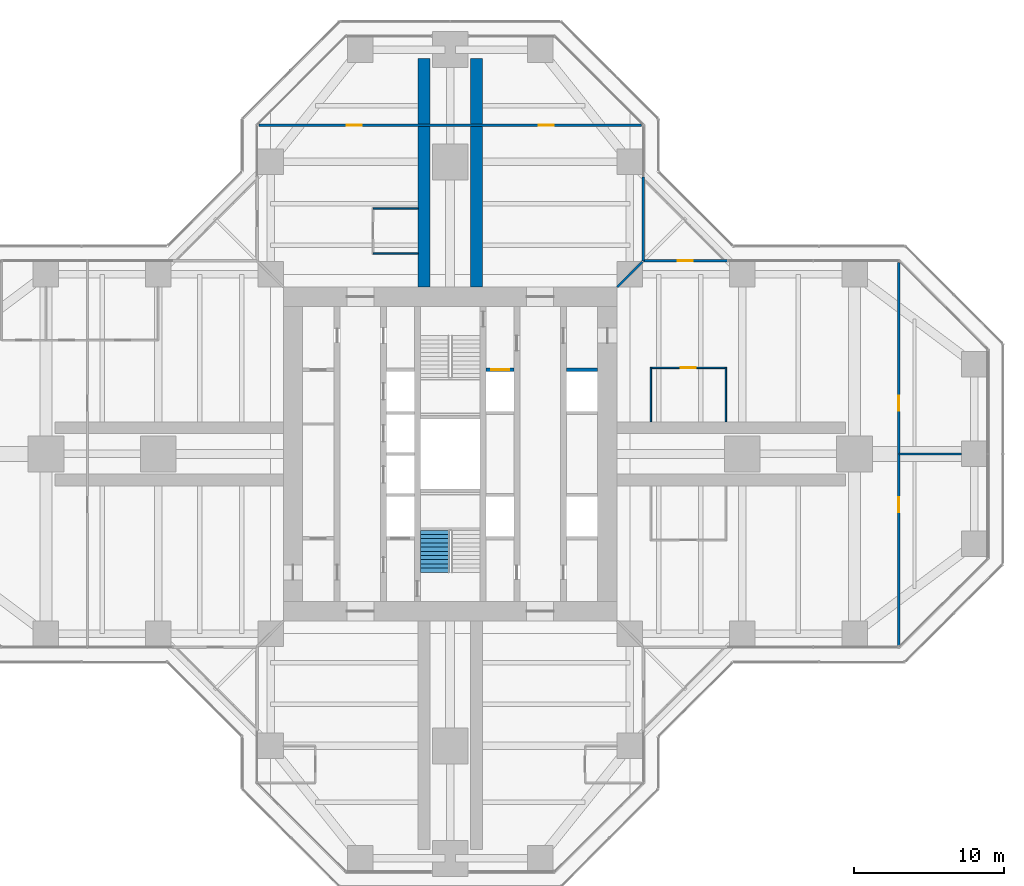
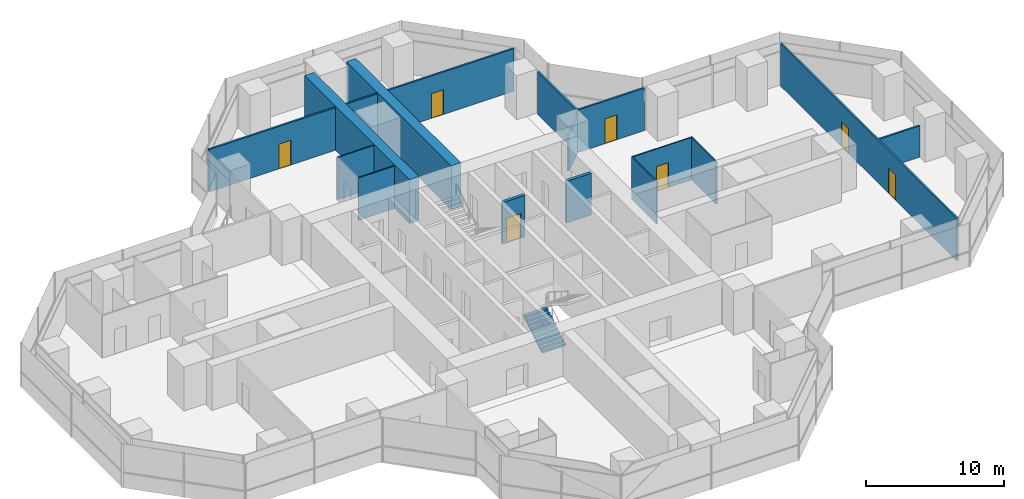
# One storey, part 17 of 19: 15 walls, 7 doors, 1 stair flight, 7 openings, 1 element without a shape of its own.
"""IFC4 building model written with IfcOpenShell, lengths in metres."""

from ifc_helpers import new_model, si_unit, direction, frame, frame_2d, origin, place, context, subcontext, project, spatial, polyline, rectangle, outline, extrude, material, layer, layer_set, type_object, element, fill, aggregate, save


model = new_model("IFC4")

# Units and contexts
model_context = context("Model", 3, precision=1e-05, world=origin(), true_north=direction((0.0, 1.0)))
body_context = subcontext(model_context, "Body", "Model", "MODEL_VIEW")
ifc_project = project(units=[si_unit("LENGTHUNIT", "METRE"), si_unit("AREAUNIT", "SQUARE_METRE"), si_unit("VOLUMEUNIT", "CUBIC_METRE"), si_unit("PLANEANGLEUNIT", "RADIAN"), si_unit("MASSUNIT", "GRAM", prefix="KILO")], contexts=[model_context])

# Site, building, storey
site_placement = place(None, origin())
site = spatial("IfcSite", under=ifc_project, at=site_placement, CompositionType="ELEMENT")
building_placement = place(site_placement, origin())
building = spatial("IfcBuilding", under=site, at=building_placement, Name="Mizan Broadcast Tower", CompositionType="ELEMENT")
storey_placement = place(building_placement, frame((0.0, 0.0, 159.300048828125)))
storey = spatial("IfcBuildingStorey", under=building, at=storey_placement, Name="L36", CompositionType="ELEMENT", Elevation=159.300048828125)

# Wall, opening, door
ifc_material_1 = material(Name="Aluminium framed glazed screen", Category="aluminium")
ifc_layer_1 = layer(ifc_material_1, 0.159912109375)
ifc_layer_set_1 = layer_set([ifc_layer_1], Name="Aluminium framed glazed screen")
wall_type_1 = type_object("IfcWallType", Name="GLAZED SCREEN WALL 160", PredefinedType="SOLIDWALL", material=ifc_layer_set_1)
wall_1_placement = place(storey_placement, frame((18.5, 12.89990234375, 0.0), z_axis=(0.0, 0.0, 1.0), x_axis=(-1.0, 0.0, 0.0)))
wall_1 = element("IfcWall", 1, at=wall_1_placement, inside=storey, type_object=wall_type_1, Name="Winter garden screen L36 E", PredefinedType="SOLIDWALL", context=body_context, shape_type="SweptSolid", body=[
    extrude(rectangle(XDim=5.60009765625, YDim=0.159912109375, at=frame_2d((2.800048828125, 0.0))), origin(), (0.0, 0.0, 1.0), 3.77001953125),
])
opening_1_placement = place(wall_1_placement, frame((2.300048828125, 0.0, 0.0)))
opening_1 = element("IfcOpeningElement", 2, at=opening_1_placement, cuts=wall_1, Name="Opening WGD", PredefinedType="OPENING", context=body_context, shape_type="SweptSolid", body=[
    extrude(rectangle(XDim=1.0, YDim=2.199951171875, at=frame_2d((0.5, 1.10009765625))), frame((0.0, 0.08984375, 0.0), z_axis=(0.0, -1.0, 0.0), x_axis=(1.0, 0.0, 0.0)), (0.0, 0.0, 1.0), 0.179931640625),
])
ifc_material_2 = material(Name="Aluminium framed glazed door", Category="aluminium")
door_type_1 = type_object("IfcDoorType", Name="WINTER GARDEN DOOR 1000 GLAZED", OperationType="SINGLE_SWING_LEFT", PredefinedType="DOOR", material=ifc_material_2)
door_1_placement = place(opening_1_placement, origin())
door_1 = element("IfcDoor", 3, at=door_1_placement, inside=storey, type_object=door_type_1, Name="Winter garden door L36 E", OperationType="SINGLE_SWING_RIGHT", OverallHeight=2.199951171875, OverallWidth=1.0, PredefinedType="DOOR", context=body_context, shape_type="SweptSolid", body=[
    extrude(rectangle(XDim=1.0, YDim=2.199951171875, at=frame_2d((0.5, 1.10009765625))), frame((0.0, 0.02490234375, 0.0), z_axis=(0.0, -1.0, 0.0), x_axis=(1.0, 0.0, 0.0)), (0.0, 0.0, 1.0), 0.050048828125),
])
fill(opening_1, door_1)

# Wall
wall_2_placement = place(storey_placement, frame((12.89990234375, 12.89990234375, 0.0), z_axis=(0.0, 0.0, 1.0), x_axis=(0.0, 1.0, 0.0)))
element("IfcWall", 4, at=wall_2_placement, inside=storey, type_object=wall_type_1, Name="Winter garden screen L36 N", PredefinedType="SOLIDWALL", context=body_context, shape_type="SweptSolid", body=[
    extrude(rectangle(XDim=5.60009765625, YDim=0.159912109375, at=frame_2d((2.800048828125, 0.0))), origin(), (0.0, 0.0, 1.0), 3.77001953125),
])

# Wall, opening, door
ifc_material_3 = material(Name="Concrete blockwork", Category="masonry")
ifc_layer_2 = layer(ifc_material_3, 0.25)
ifc_layer_set_2 = layer_set([ifc_layer_2], Name="Concrete blockwork")
wall_type_2 = type_object("IfcWallType", Name="LOBBY ENCLOSURE WALL 250", PredefinedType="SOLIDWALL", material=ifc_layer_set_2)
wall_3_placement = place(storey_placement, frame((2.39990234375, 5.625, 0.0), z_axis=(0.0, 0.0, 1.0), x_axis=(1.0, 0.0, 0.0)))
wall_3 = element("IfcWall", 5, at=wall_3_placement, inside=storey, type_object=wall_type_2, Name="Lobby enclosure wall CORE/BE2N", PredefinedType="SOLIDWALL", context=body_context, shape_type="SweptSolid", body=[
    extrude(rectangle(XDim=1.85009765625, YDim=0.25, at=frame_2d((0.925048828125, 0.0))), origin(), (0.0, 0.0, 1.0), 3.699951171875),
])
opening_2_placement = place(wall_3_placement, frame((0.324951171875, 0.0, 0.0)))
opening_2 = element("IfcOpeningElement", 6, at=opening_2_placement, cuts=wall_3, Name="Opening LDF", PredefinedType="OPENING", context=body_context, shape_type="SweptSolid", body=[
    extrude(rectangle(XDim=1.199951171875, YDim=2.199951171875, at=frame_2d((0.60009765625, 1.10009765625))), frame((0.0, 0.135009765625, 0.0), z_axis=(0.0, -1.0, 0.0), x_axis=(1.0, 0.0, 0.0)), (0.0, 0.0, 1.0), 0.27001953125),
])
ifc_material_4 = material(Name="Steel door leaf in steel frame", Category="steel")
door_type_2 = type_object("IfcDoorType", Name="FIREFIGHTING LIFT LANDING DOOR 1200", OperationType="SLIDING_TO_LEFT", PredefinedType="DOOR", material=ifc_material_4)
door_2_placement = place(opening_2_placement, origin())
door_2 = element("IfcDoor", 7, at=door_2_placement, inside=storey, type_object=door_type_2, Name="Landing door FF2", OperationType="SLIDING_TO_LEFT", OverallHeight=2.199951171875, OverallWidth=1.199951171875, PredefinedType="DOOR", context=body_context, shape_type="SweptSolid", body=[
    extrude(rectangle(XDim=1.199951171875, YDim=2.199951171875, at=frame_2d((0.60009765625, 1.10009765625))), frame((0.0, 0.02490234375, 0.0), z_axis=(0.0, -1.0, 0.0), x_axis=(1.0, 0.0, 0.0)), (0.0, 0.0, 1.0), 0.050048828125),
])
fill(opening_2, door_2)

# Wall
wall_4_placement = place(storey_placement, frame((7.75, 5.625, 0.0), z_axis=(0.0, 0.0, 1.0), x_axis=(1.0, 0.0, 0.0)))
element("IfcWall", 8, at=wall_4_placement, inside=storey, type_object=wall_type_2, Name="Lobby enclosure wall CORE/BE1N", PredefinedType="SOLIDWALL", context=body_context, shape_type="SweptSolid", body=[
    extrude(rectangle(XDim=2.10009765625, YDim=0.25, at=frame_2d((1.050048828125, 0.0))), origin(), (0.0, 0.0, 1.0), 3.699951171875),
])

# Wall, openings, doors
ifc_material_5 = material(Name="Gypsum board on steel studs", Category="steel")
ifc_layer_3 = layer(ifc_material_5, 0.14990234375)
ifc_layer_set_3 = layer_set([ifc_layer_3], Name="Gypsum board on steel studs")
wall_type_3 = type_object("IfcWallType", Name="PARTITION 150", PredefinedType="PARTITIONING", material=ifc_layer_set_3)
wall_5_placement = place(storey_placement, frame((29.958984375, -12.786376953125, 0.0), z_axis=(0.0, 0.0, 1.0), x_axis=(0.0, 1.0, 0.0)))
wall_5 = element("IfcWall", 9, at=wall_5_placement, inside=storey, type_object=wall_type_3, Name="Partition PT/EX1", PredefinedType="PARTITIONING", context=body_context, shape_type="SweptSolid", body=[
    extrude(rectangle(XDim=25.57275390625, YDim=0.14990234375, at=frame_2d((12.786376953125, 0.0))), origin(), (0.0, 0.0, 1.0), 3.77001953125),
])
opening_3_placement = place(wall_5_placement, frame((15.6865234375, 0.0, 0.0)))
opening_3 = element("IfcOpeningElement", 10, at=opening_3_placement, cuts=wall_5, Name="Opening D10", PredefinedType="OPENING", context=body_context, shape_type="SweptSolid", body=[
    extrude(rectangle(XDim=1.0, YDim=2.199951171875, at=frame_2d((0.5, 1.10009765625))), frame((0.0, 0.0849609375, 0.0), z_axis=(0.0, -1.0, 0.0), x_axis=(1.0, 0.0, 0.0)), (0.0, 0.0, 1.0), 0.169921875),
])
opening_4_placement = place(wall_5_placement, frame((8.886474609375, 0.0, 0.0)))
opening_4 = element("IfcOpeningElement", 11, at=opening_4_placement, cuts=wall_5, Name="Opening D10", PredefinedType="OPENING", context=body_context, shape_type="SweptSolid", body=[
    extrude(rectangle(XDim=1.0, YDim=2.199951171875, at=frame_2d((0.5, 1.10009765625))), frame((0.0, 0.0849609375, 0.0), z_axis=(0.0, -1.0, 0.0), x_axis=(1.0, 0.0, 0.0)), (0.0, 0.0, 1.0), 0.169921875),
])
ifc_material_6 = material(Name="Timber door leaf in aluminium frame", Category="wood")
door_type_3 = type_object("IfcDoorType", Name="ROOM DOOR 1000", OperationType="SINGLE_SWING_LEFT", PredefinedType="DOOR", material=ifc_material_6)
door_3_placement = place(opening_3_placement, origin())
door_3 = element("IfcDoor", 12, at=door_3_placement, inside=storey, type_object=door_type_3, Name="Archive reading room door", OperationType="SINGLE_SWING_RIGHT", OverallHeight=2.199951171875, OverallWidth=1.0, PredefinedType="DOOR", context=body_context, shape_type="SweptSolid", body=[
    extrude(rectangle(XDim=1.0, YDim=2.199951171875, at=frame_2d((0.5, 1.10009765625))), frame((0.0, 0.02490234375, 0.0), z_axis=(0.0, -1.0, 0.0), x_axis=(1.0, 0.0, 0.0)), (0.0, 0.0, 1.0), 0.050048828125),
])
fill(opening_3, door_3)
door_4_placement = place(opening_4_placement, origin())
door_4 = element("IfcDoor", 13, at=door_4_placement, inside=storey, type_object=door_type_3, Name="Archive reading room door", OperationType="SINGLE_SWING_LEFT", OverallHeight=2.199951171875, OverallWidth=1.0, PredefinedType="DOOR", context=body_context, shape_type="SweptSolid", body=[
    extrude(rectangle(XDim=1.0, YDim=2.199951171875, at=frame_2d((0.5, 1.10009765625))), frame((0.0, 0.02490234375, 0.0), z_axis=(0.0, -1.0, 0.0), x_axis=(1.0, 0.0, 0.0)), (0.0, 0.0, 1.0), 0.050048828125),
])
fill(opening_4, door_4)

# Wall
wall_6_placement = place(storey_placement, frame((29.958984375, 0.0, 0.0), z_axis=(0.0, 0.0, 1.0), x_axis=(1.0, 0.0, 0.0)))
element("IfcWall", 14, at=wall_6_placement, inside=storey, type_object=wall_type_3, Name="Partition PT/EES", PredefinedType="PARTITIONING", context=body_context, shape_type="SweptSolid", body=[
    extrude(rectangle(XDim=4.19091796875, YDim=0.14990234375, at=frame_2d((2.095458984375, 0.0))), origin(), (0.0, 0.0, 1.0), 2.77001953125),
])

# Wall, openings, doors
wall_7_placement = place(storey_placement, frame((12.786376953125, 21.958984375, 0.0), z_axis=(0.0, 0.0, 1.0), x_axis=(-1.0, 0.0, 0.0)))
wall_7 = element("IfcWall", 15, at=wall_7_placement, inside=storey, type_object=wall_type_3, Name="Partition PT/NX1", PredefinedType="PARTITIONING", context=body_context, shape_type="SweptSolid", body=[
    extrude(rectangle(XDim=25.57275390625, YDim=0.14990234375, at=frame_2d((12.786376953125, 0.0))), origin(), (0.0, 0.0, 1.0), 3.77001953125),
])
opening_5_placement = place(wall_7_placement, frame((18.6865234375, 0.0, 0.0)))
opening_5 = element("IfcOpeningElement", 16, at=opening_5_placement, cuts=wall_7, Name="Opening D10", PredefinedType="OPENING", context=body_context, shape_type="SweptSolid", body=[
    extrude(rectangle(XDim=1.0, YDim=2.199951171875, at=frame_2d((0.5, 1.10009765625))), frame((0.0, 0.0849609375, 0.0), z_axis=(0.0, -1.0, 0.0), x_axis=(1.0, 0.0, 0.0)), (0.0, 0.0, 1.0), 0.169921875),
])
opening_6_placement = place(wall_7_placement, frame((5.886474609375, 0.0, 0.0)))
opening_6 = element("IfcOpeningElement", 17, at=opening_6_placement, cuts=wall_7, Name="Opening D10", PredefinedType="OPENING", context=body_context, shape_type="SweptSolid", body=[
    extrude(rectangle(XDim=1.0, YDim=2.199951171875, at=frame_2d((0.5, 1.10009765625))), frame((0.0, 0.0849609375, 0.0), z_axis=(0.0, -1.0, 0.0), x_axis=(1.0, 0.0, 0.0)), (0.0, 0.0, 1.0), 0.169921875),
])
door_5_placement = place(opening_5_placement, origin())
door_5 = element("IfcDoor", 18, at=door_5_placement, inside=storey, type_object=door_type_3, Name="Meeting room door", OperationType="SINGLE_SWING_RIGHT", OverallHeight=2.199951171875, OverallWidth=1.0, PredefinedType="DOOR", context=body_context, shape_type="SweptSolid", body=[
    extrude(rectangle(XDim=1.0, YDim=2.199951171875, at=frame_2d((0.5, 1.10009765625))), frame((0.0, 0.02490234375, 0.0), z_axis=(0.0, -1.0, 0.0), x_axis=(1.0, 0.0, 0.0)), (0.0, 0.0, 1.0), 0.050048828125),
])
fill(opening_5, door_5)
door_6_placement = place(opening_6_placement, origin())
door_6 = element("IfcDoor", 19, at=door_6_placement, inside=storey, type_object=door_type_3, Name="Meeting room door", OperationType="SINGLE_SWING_LEFT", OverallHeight=2.199951171875, OverallWidth=1.0, PredefinedType="DOOR", context=body_context, shape_type="SweptSolid", body=[
    extrude(rectangle(XDim=1.0, YDim=2.199951171875, at=frame_2d((0.5, 1.10009765625))), frame((0.0, 0.02490234375, 0.0), z_axis=(0.0, -1.0, 0.0), x_axis=(1.0, 0.0, 0.0)), (0.0, 0.0, 1.0), 0.050048828125),
])
fill(opening_6, door_6)

# Walls
wall_8_placement = place(storey_placement, frame((11.14990234375, 11.14990234375, 0.0), z_axis=(0.0, 0.0, 1.0), x_axis=(0.707106781187, 0.707106781187, 0.0)))
element("IfcWall", 20, at=wall_8_placement, inside=storey, type_object=wall_type_3, Name="Partition PT/DGEN", PredefinedType="PARTITIONING", context=body_context, shape_type="SweptSolid", body=[
    extrude(rectangle(XDim=2.362060546875, YDim=0.14990234375, at=frame_2d((1.18115234375, 0.0))), origin(), (0.0, 0.0, 1.0), 3.219970703125),
])
ifc_material_7 = material(Name="Glazed aluminium partition on aluminium track", Category="aluminium")
ifc_layer_4 = layer(ifc_material_7, 0.10009765625)
ifc_layer_set_4 = layer_set([ifc_layer_4], Name="Glazed aluminium partition on aluminium track")
wall_type_4 = type_object("IfcWallType", Name="PARTITION GLAZED OFFICE FRONT 100", PredefinedType="PARTITIONING", material=ifc_layer_set_4)
for number, where, z_axis, x_axis, name in (
    (21, (13.39990234375, 2.14990234375, 0.0), (0.0, 0.0, 1.0), (0.0, 1.0, 0.0), "Glazed office front PT/EKP0a"),
    (22, (18.39990234375, 2.14990234375, 0.0), (0.0, 0.0, 1.0), (0.0, 1.0, 0.0), "Glazed office front PT/EKP0b"),
):
    element("IfcWall", number, at=place(storey_placement, frame(where, z_axis=z_axis, x_axis=x_axis)), inside=storey, type_object=wall_type_4, Name=name, PredefinedType="PARTITIONING", context=body_context, shape_type="SweptSolid", body=[
        extrude(rectangle(XDim=3.60009765625, YDim=0.10009765625, at=frame_2d((1.800048828125, 0.0))), origin(), (0.0, 0.0, 1.0), 3.77001953125),
    ])

# Wall, opening, door
wall_9_placement = place(storey_placement, frame((13.35009765625, 5.75, 0.0), z_axis=(0.0, 0.0, 1.0), x_axis=(1.0, 0.0, 0.0)))
wall_9 = element("IfcWall", 23, at=wall_9_placement, inside=storey, type_object=wall_type_4, Name="Glazed office front PT/EKP0f", PredefinedType="PARTITIONING", context=body_context, shape_type="SweptSolid", body=[
    extrude(rectangle(XDim=5.099853515625, YDim=0.10009765625, at=frame_2d((2.5498046875, 0.0))), origin(), (0.0, 0.0, 1.0), 3.77001953125),
])
opening_7_placement = place(wall_9_placement, frame((2.050048828125, 0.0, 0.0)))
opening_7 = element("IfcOpeningElement", 24, at=opening_7_placement, cuts=wall_9, Name="Opening D10O", PredefinedType="OPENING", context=body_context, shape_type="SweptSolid", body=[
    extrude(rectangle(XDim=1.0, YDim=2.199951171875, at=frame_2d((0.5, 1.10009765625))), frame((0.0, 0.06005859375, 0.0), z_axis=(0.0, -1.0, 0.0), x_axis=(1.0, 0.0, 0.0)), (0.0, 0.0, 1.0), 0.1201171875),
])
ifc_material_8 = material(Name="Timber door leaf in aluminium frame", Category="wood")
door_type_4 = type_object("IfcDoorType", Name="OFFICE DOOR 1000 GLAZED", OperationType="SINGLE_SWING_LEFT", PredefinedType="DOOR", material=ifc_material_8)
door_7_placement = place(opening_7_placement, origin())
door_7 = element("IfcDoor", 25, at=door_7_placement, inside=storey, type_object=door_type_4, Name="Archive room door", OperationType="SINGLE_SWING_LEFT", OverallHeight=2.199951171875, OverallWidth=1.0, PredefinedType="DOOR", context=body_context, shape_type="SweptSolid", body=[
    extrude(rectangle(XDim=1.0, YDim=2.199951171875, at=frame_2d((0.5, 1.10009765625))), frame((0.0, 0.02490234375, 0.0), z_axis=(0.0, -1.0, 0.0), x_axis=(1.0, 0.0, 0.0)), (0.0, 0.0, 1.0), 0.050048828125),
])
fill(opening_7, door_7)

# Walls
for number, where, z_axis, x_axis, name in (
    (26, (-2.14990234375, 13.39990234375, 0.0), (0.0, 0.0, 1.0), (-1.0, 0.0, 0.0), "Glazed office front PT/NKP0a"),
    (27, (-2.14990234375, 16.39990234375, 0.0), (0.0, 0.0, 1.0), (-1.0, 0.0, 0.0), "Glazed office front PT/NKP0b"),
):
    element("IfcWall", number, at=place(storey_placement, frame(where, z_axis=z_axis, x_axis=x_axis)), inside=storey, type_object=wall_type_4, Name=name, PredefinedType="PARTITIONING", context=body_context, shape_type="SweptSolid", body=[
        extrude(rectangle(XDim=3.0, YDim=0.10009765625, at=frame_2d((1.5, 0.0))), origin(), (0.0, 0.0, 1.0), 3.77001953125),
    ])
ifc_material_9 = material(Name="Concrete C70/85", Category="concrete")
ifc_layer_5 = layer(ifc_material_9, 0.800048828125)
ifc_layer_set_5 = layer_set([ifc_layer_5], Name="Concrete C70/85")
wall_type_5 = type_object("IfcWallType", Name="SPINE WALL 800", PredefinedType="SHEAR", material=ifc_layer_set_5)
for number, where, z_axis, x_axis, name in (
    (28, (1.75, 11.14990234375, 0.0), (0.0, 0.0, 1.0), (0.0, 1.0, 0.0), "Spine wall NR L36"),
    (29, (-1.75, 11.14990234375, 0.0), (0.0, 0.0, 1.0), (0.0, 1.0, 0.0), "Spine wall NL L36"),
):
    element("IfcWall", number, at=place(storey_placement, frame(where, z_axis=z_axis, x_axis=x_axis)), inside=storey, type_object=wall_type_5, Name=name, PredefinedType="SHEAR", context=body_context, shape_type="SweptSolid", body=[
        extrude(rectangle(XDim=15.25, YDim=0.800048828125, at=frame_2d((7.625, 0.0))), origin(), (0.0, 0.0, 1.0), 3.89990234375),
    ])

# Stair, stair flight
ifc_material_10 = material(Name="Concrete C40/50", Category="concrete")
stair_type = type_object("IfcStairType", Name="EXIT STAIR", PredefinedType="HALF_TURN_STAIR", material=ifc_material_10)
stair_placement = place(storey_placement, origin())
stair = element("IfcStair", 30, at=stair_placement, inside=storey, type_object=stair_type, Name="Stair A L36", PredefinedType="HALF_TURN_STAIR")
ifc_material_11 = material(Name="Concrete C40/50", Category="concrete")
stair_flight_type = type_object("IfcStairFlightType", Name="EXIT STAIR FLIGHT", PredefinedType="STRAIGHT", material=ifc_material_11)
stair_flight_placement = place(storey_placement, frame((-1.02490234375, -7.89990234375, 0.0), z_axis=(0.0, 0.0, 1.0), x_axis=(0.0, 1.0, 0.0)))
stair_flight = element("IfcStairFlight", 31, at=stair_flight_placement, type_object=stair_flight_type, Name="A flight 1", NumberOfRisers=11, NumberOfTreads=10, PredefinedType="STRAIGHT", RiserHeight=0.177272727, TreadLength=0.28, context=body_context, shape_type="SweptSolid", body=[
    extrude(outline(polyline([(0.0, 0.0), (0.0, 0.17724609375), (0.280029296875, 0.17724609375), (0.280029296875, 0.3544921875), (0.56005859375, 0.3544921875), (0.56005859375, 0.53173828125), (0.840087890625, 0.53173828125), (0.840087890625, 0.708984375), (1.1201171875, 0.708984375), (1.1201171875, 0.886474609375), (1.39990234375, 0.886474609375), (1.39990234375, 1.063720703125), (1.679931640625, 1.063720703125), (1.679931640625, 1.240966796875), (1.9599609375, 1.240966796875), (1.9599609375, 1.418212890625), (2.239990234375, 1.418212890625), (2.239990234375, 1.595458984375), (2.52001953125, 1.595458984375), (2.52001953125, 1.772705078125), (2.800048828125, 1.772705078125), (2.800048828125, 1.949951171875), (2.800048828125, 1.59521484375), (0.2802734375, 0.0), (0.0, 0.0)])), frame((0.0, 0.97509765625, 0.0), z_axis=(0.0, -1.0, 0.0), x_axis=(1.0, 0.0, 0.0)), (0.0, 0.0, 1.0), 0.4873046875),
    extrude(outline(polyline([(0.0, 0.0), (0.0, 0.17724609375), (0.280029296875, 0.17724609375), (0.280029296875, 0.3544921875), (0.56005859375, 0.3544921875), (0.56005859375, 0.53173828125), (0.840087890625, 0.53173828125), (0.840087890625, 0.708984375), (1.1201171875, 0.708984375), (1.1201171875, 0.886474609375), (1.39990234375, 0.886474609375), (1.39990234375, 1.063720703125), (1.679931640625, 1.063720703125), (1.679931640625, 1.240966796875), (1.9599609375, 1.240966796875), (1.9599609375, 1.418212890625), (2.239990234375, 1.418212890625), (2.239990234375, 1.595458984375), (2.52001953125, 1.595458984375), (2.52001953125, 1.772705078125), (2.800048828125, 1.772705078125), (2.800048828125, 1.949951171875), (2.800048828125, 1.59521484375), (0.2802734375, 0.0), (0.0, 0.0)])), frame((0.0, 0.4873046875, 0.0), z_axis=(0.0, -1.0, 0.0), x_axis=(1.0, 0.0, 0.0)), (0.0, 0.0, 1.0), 0.2431640625),
    extrude(outline(polyline([(0.0, 0.0), (0.0, 0.17724609375), (0.280029296875, 0.17724609375), (0.280029296875, 0.3544921875), (0.56005859375, 0.3544921875), (0.56005859375, 0.53173828125), (0.840087890625, 0.53173828125), (0.840087890625, 0.708984375), (1.1201171875, 0.708984375), (1.1201171875, 0.886474609375), (1.39990234375, 0.886474609375), (1.39990234375, 1.063720703125), (1.679931640625, 1.063720703125), (1.679931640625, 1.240966796875), (1.9599609375, 1.240966796875), (1.9599609375, 1.418212890625), (2.239990234375, 1.418212890625), (2.239990234375, 1.595458984375), (2.52001953125, 1.595458984375), (2.52001953125, 1.772705078125), (2.800048828125, 1.772705078125), (2.800048828125, 1.949951171875), (2.800048828125, 1.59521484375), (0.2802734375, 0.0), (0.0, 0.0)])), frame((0.0, 0.24365234375, 0.0), z_axis=(0.0, -1.0, 0.0), x_axis=(1.0, 0.0, 0.0)), (0.0, 0.0, 1.0), 0.121337890625),
    extrude(outline(polyline([(0.0, 0.0), (0.0, 0.17724609375), (0.280029296875, 0.17724609375), (0.280029296875, 0.3544921875), (0.56005859375, 0.3544921875), (0.56005859375, 0.53173828125), (0.840087890625, 0.53173828125), (0.840087890625, 0.708984375), (1.1201171875, 0.708984375), (1.1201171875, 0.886474609375), (1.39990234375, 0.886474609375), (1.39990234375, 1.063720703125), (1.679931640625, 1.063720703125), (1.679931640625, 1.240966796875), (1.9599609375, 1.240966796875), (1.9599609375, 1.418212890625), (2.239990234375, 1.418212890625), (2.239990234375, 1.595458984375), (2.52001953125, 1.595458984375), (2.52001953125, 1.772705078125), (2.800048828125, 1.772705078125), (2.800048828125, 1.949951171875), (2.800048828125, 1.59521484375), (0.2802734375, 0.0), (0.0, 0.0)])), frame((0.0, 0.121826171875, 0.0), z_axis=(0.0, -1.0, 0.0), x_axis=(1.0, 0.0, 0.0)), (0.0, 0.0, 1.0), 0.060546875),
    extrude(outline(polyline([(0.0, 0.0), (0.0, 0.17724609375), (0.280029296875, 0.17724609375), (0.280029296875, 0.3544921875), (0.56005859375, 0.3544921875), (0.56005859375, 0.53173828125), (0.840087890625, 0.53173828125), (0.840087890625, 0.708984375), (1.1201171875, 0.708984375), (1.1201171875, 0.886474609375), (1.39990234375, 0.886474609375), (1.39990234375, 1.063720703125), (1.679931640625, 1.063720703125), (1.679931640625, 1.240966796875), (1.9599609375, 1.240966796875), (1.9599609375, 1.418212890625), (2.239990234375, 1.418212890625), (2.239990234375, 1.595458984375), (2.52001953125, 1.595458984375), (2.52001953125, 1.772705078125), (2.800048828125, 1.772705078125), (2.800048828125, 1.949951171875), (2.800048828125, 1.59521484375), (0.2802734375, 0.0), (0.0, 0.0)])), frame((0.0, 0.060791015625, 0.0), z_axis=(0.0, -1.0, 0.0), x_axis=(1.0, 0.0, 0.0)), (0.0, 0.0, 1.0), 0.030029296875),
    extrude(outline(polyline([(0.0, 0.0), (0.0, 0.17724609375), (0.280029296875, 0.17724609375), (0.280029296875, 0.3544921875), (0.56005859375, 0.3544921875), (0.56005859375, 0.53173828125), (0.840087890625, 0.53173828125), (0.840087890625, 0.708984375), (1.1201171875, 0.708984375), (1.1201171875, 0.886474609375), (1.39990234375, 0.886474609375), (1.39990234375, 1.063720703125), (1.679931640625, 1.063720703125), (1.679931640625, 1.240966796875), (1.9599609375, 1.240966796875), (1.9599609375, 1.418212890625), (2.239990234375, 1.418212890625), (2.239990234375, 1.595458984375), (2.52001953125, 1.595458984375), (2.52001953125, 1.772705078125), (2.800048828125, 1.772705078125), (2.800048828125, 1.949951171875), (2.800048828125, 1.59521484375), (0.2802734375, 0.0), (0.0, 0.0)])), frame((0.0, 0.0302734375, 0.0), z_axis=(0.0, -1.0, 0.0), x_axis=(1.0, 0.0, 0.0)), (0.0, 0.0, 1.0), 0.060302734375),
    extrude(outline(polyline([(0.0, 0.0), (0.0, 0.17724609375), (0.280029296875, 0.17724609375), (0.280029296875, 0.3544921875), (0.56005859375, 0.3544921875), (0.56005859375, 0.53173828125), (0.840087890625, 0.53173828125), (0.840087890625, 0.708984375), (1.1201171875, 0.708984375), (1.1201171875, 0.886474609375), (1.39990234375, 0.886474609375), (1.39990234375, 1.063720703125), (1.679931640625, 1.063720703125), (1.679931640625, 1.240966796875), (1.9599609375, 1.240966796875), (1.9599609375, 1.418212890625), (2.239990234375, 1.418212890625), (2.239990234375, 1.595458984375), (2.52001953125, 1.595458984375), (2.52001953125, 1.772705078125), (2.800048828125, 1.772705078125), (2.800048828125, 1.949951171875), (2.800048828125, 1.59521484375), (0.2802734375, 0.0), (0.0, 0.0)])), frame((0.0, -0.030517578125, 0.0), z_axis=(0.0, -1.0, 0.0), x_axis=(1.0, 0.0, 0.0)), (0.0, 0.0, 1.0), 0.030029296875),
    extrude(outline(polyline([(0.0, 0.0), (0.0, 0.17724609375), (0.280029296875, 0.17724609375), (0.280029296875, 0.3544921875), (0.56005859375, 0.3544921875), (0.56005859375, 0.53173828125), (0.840087890625, 0.53173828125), (0.840087890625, 0.708984375), (1.1201171875, 0.708984375), (1.1201171875, 0.886474609375), (1.39990234375, 0.886474609375), (1.39990234375, 1.063720703125), (1.679931640625, 1.063720703125), (1.679931640625, 1.240966796875), (1.9599609375, 1.240966796875), (1.9599609375, 1.418212890625), (2.239990234375, 1.418212890625), (2.239990234375, 1.595458984375), (2.52001953125, 1.595458984375), (2.52001953125, 1.772705078125), (2.800048828125, 1.772705078125), (2.800048828125, 1.949951171875), (2.800048828125, 1.59521484375), (0.2802734375, 0.0), (0.0, 0.0)])), frame((0.0, -0.06103515625, 0.0), z_axis=(0.0, -1.0, 0.0), x_axis=(1.0, 0.0, 0.0)), (0.0, 0.0, 1.0), 0.060546875),
    extrude(outline(polyline([(0.0, 0.0), (0.0, 0.17724609375), (0.280029296875, 0.17724609375), (0.280029296875, 0.3544921875), (0.56005859375, 0.3544921875), (0.56005859375, 0.53173828125), (0.840087890625, 0.53173828125), (0.840087890625, 0.708984375), (1.1201171875, 0.708984375), (1.1201171875, 0.886474609375), (1.39990234375, 0.886474609375), (1.39990234375, 1.063720703125), (1.679931640625, 1.063720703125), (1.679931640625, 1.240966796875), (1.9599609375, 1.240966796875), (1.9599609375, 1.418212890625), (2.239990234375, 1.418212890625), (2.239990234375, 1.595458984375), (2.52001953125, 1.595458984375), (2.52001953125, 1.772705078125), (2.800048828125, 1.772705078125), (2.800048828125, 1.949951171875), (2.800048828125, 1.59521484375), (0.2802734375, 0.0), (0.0, 0.0)])), frame((0.0, -0.1220703125, 0.0), z_axis=(0.0, -1.0, 0.0), x_axis=(1.0, 0.0, 0.0)), (0.0, 0.0, 1.0), 0.121337890625),
    extrude(outline(polyline([(0.0, 0.0), (0.0, 0.17724609375), (0.280029296875, 0.17724609375), (0.280029296875, 0.3544921875), (0.56005859375, 0.3544921875), (0.56005859375, 0.53173828125), (0.840087890625, 0.53173828125), (0.840087890625, 0.708984375), (1.1201171875, 0.708984375), (1.1201171875, 0.886474609375), (1.39990234375, 0.886474609375), (1.39990234375, 1.063720703125), (1.679931640625, 1.063720703125), (1.679931640625, 1.240966796875), (1.9599609375, 1.240966796875), (1.9599609375, 1.418212890625), (2.239990234375, 1.418212890625), (2.239990234375, 1.595458984375), (2.52001953125, 1.595458984375), (2.52001953125, 1.772705078125), (2.800048828125, 1.772705078125), (2.800048828125, 1.949951171875), (2.800048828125, 1.59521484375), (0.2802734375, 0.0), (0.0, 0.0)])), frame((0.0, -0.243896484375, 0.0), z_axis=(0.0, -1.0, 0.0), x_axis=(1.0, 0.0, 0.0)), (0.0, 0.0, 1.0), 0.2431640625),
    extrude(outline(polyline([(0.0, 0.0), (0.0, 0.17724609375), (0.280029296875, 0.17724609375), (0.280029296875, 0.3544921875), (0.56005859375, 0.3544921875), (0.56005859375, 0.53173828125), (0.840087890625, 0.53173828125), (0.840087890625, 0.708984375), (1.1201171875, 0.708984375), (1.1201171875, 0.886474609375), (1.39990234375, 0.886474609375), (1.39990234375, 1.063720703125), (1.679931640625, 1.063720703125), (1.679931640625, 1.240966796875), (1.9599609375, 1.240966796875), (1.9599609375, 1.418212890625), (2.239990234375, 1.418212890625), (2.239990234375, 1.595458984375), (2.52001953125, 1.595458984375), (2.52001953125, 1.772705078125), (2.800048828125, 1.772705078125), (2.800048828125, 1.949951171875), (2.800048828125, 1.59521484375), (0.2802734375, 0.0), (0.0, 0.0)])), frame((0.0, -0.487548828125, 0.0), z_axis=(0.0, -1.0, 0.0), x_axis=(1.0, 0.0, 0.0)), (0.0, 0.0, 1.0), 0.4873046875),
])
aggregate(stair, [stair_flight])

save(model, "model.ifc")
